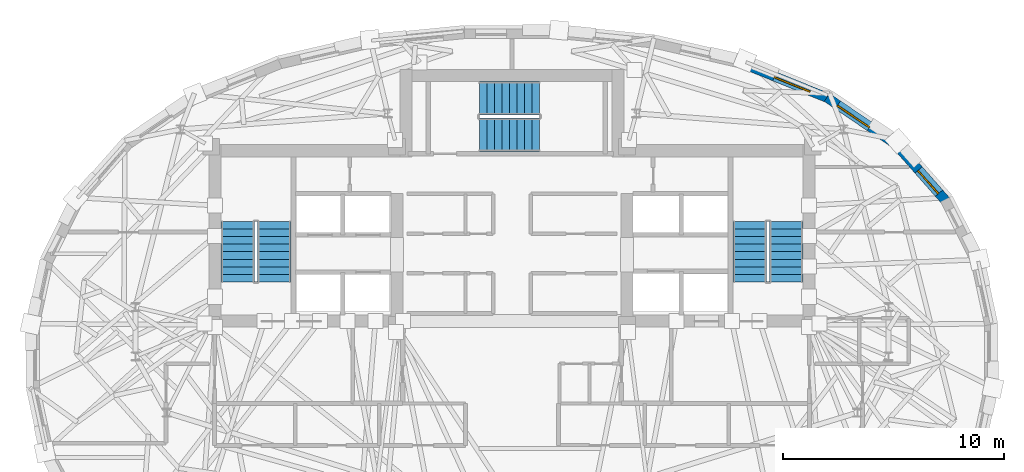
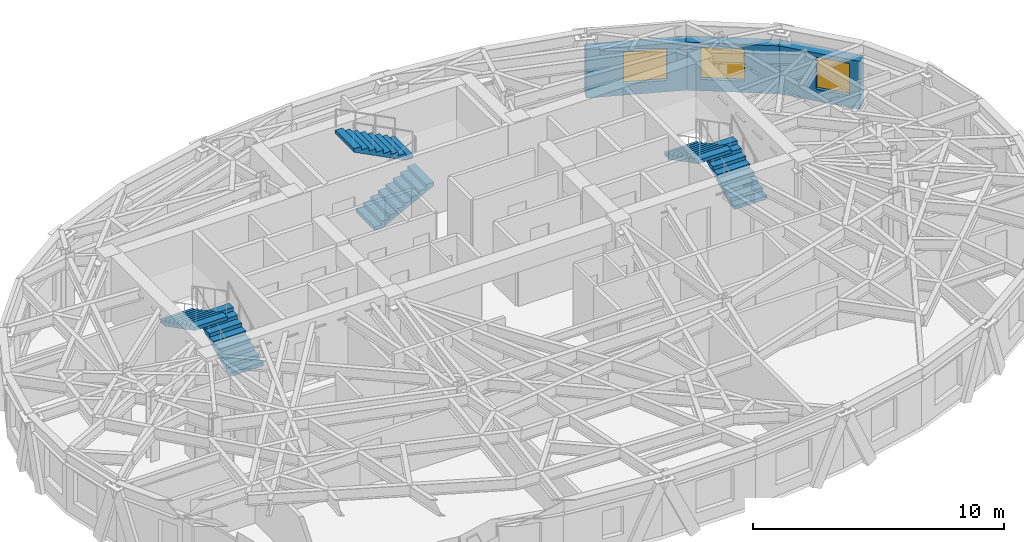
# One storey, part 10 of 13: 6 stair flights, 3 walls, 3 windows, 3 openings, 3 elements without a shape of their own.
"""IFC4 building model written with IfcOpenShell, lengths in metres."""

from ifc_helpers import new_model, si_unit, direction, frame, frame_2d, origin, place, context, subcontext, project, spatial, polyline, rectangle, outline, extrude, material, layer, layer_set, type_object, element, fill, aggregate, save


model = new_model("IFC4")

# Units and contexts
model_context = context("Model", 3, precision=1e-05, world=origin(), true_north=direction((0.0, 1.0)))
body_context = subcontext(model_context, "Body", "Model", "MODEL_VIEW")
ifc_project = project(units=[si_unit("LENGTHUNIT", "METRE"), si_unit("AREAUNIT", "SQUARE_METRE"), si_unit("VOLUMEUNIT", "CUBIC_METRE"), si_unit("PLANEANGLEUNIT", "RADIAN"), si_unit("MASSUNIT", "GRAM", prefix="KILO")], contexts=[model_context])

# Site, building, storey
site_placement = place(None, origin())
site = spatial("IfcSite", under=ifc_project, at=site_placement, CompositionType="ELEMENT")
building_placement = place(site_placement, origin())
building = spatial("IfcBuilding", under=site, at=building_placement, Name="Keldmark Tower", CompositionType="ELEMENT")
storey_placement = place(building_placement, frame((0.0, 0.0, 241.5)))
storey = spatial("IfcBuildingStorey", under=building, at=storey_placement, Name="L68", CompositionType="ELEMENT", Elevation=241.5)

# Wall, opening, window
ifc_material_1 = material(Name="Ironspot Manganese Brick and Kasota Buff Limestone Spandrel Assembly", Category="masonry")
ifc_layer = layer(ifc_material_1, 0.43994140625)
ifc_layer_set = layer_set([ifc_layer], Name="Ironspot Manganese Brick and Kasota Buff Limestone Spandrel Assembly")
wall_type = type_object("IfcWallType", Name="Tower Brick Pier and Spandrel Wall 440 mm", PredefinedType="STANDARD", material=ifc_layer_set)
wall_1_placement = place(storey_placement, frame((17.33984375, 9.595947265625, 0.0), z_axis=(0.0, 0.0, 1.0), x_axis=(0.66136043846, -0.750068243855, 0.0)))
wall_1 = element("IfcWall", 1, at=wall_1_placement, inside=storey, type_object=wall_type, Name="L68 Exterior Brick and Spandrel Wall 03", PredefinedType="STANDARD", context=body_context, shape_type="SweptSolid", body=[
    extrude(rectangle(XDim=3.431884765625, YDim=0.43994140625, at=frame_2d((1.7158203125, 0.0))), origin(), (0.0, 0.0, 1.0), 2.3359375),
])
opening_1_placement = place(wall_1_placement, frame((1.584716796875, 0.0, 0.580078125)))
opening_1 = element("IfcOpeningElement", 2, at=opening_1_placement, cuts=wall_1, Name="Opening W-08", PredefinedType="OPENING", context=body_context, shape_type="SweptSolid", body=[
    extrude(rectangle(XDim=1.39990234375, YDim=1.550048828125, at=frame_2d((0.699951171875, 0.77490234375))), frame((0.0, 0.22998046875, 0.0), z_axis=(0.0, -1.0, 0.0), x_axis=(1.0, 0.0, 0.0)), (0.0, 0.0, 1.0), 0.4599609375),
])
ifc_material_2 = material(Name="Thermally Broken Anodized Aluminum and Triple Low-E Argon Glazing", Category="aluminium")
window_type_1 = type_object("IfcWindowType", Name="Residential Corner Punched Window 1400x1550", PartitioningType="SINGLE_PANEL", PredefinedType="WINDOW", material=ifc_material_2)
window_1_placement = place(opening_1_placement, origin())
window_1 = element("IfcWindow", 3, at=window_1_placement, inside=storey, type_object=window_type_1, Name="L68 Deep-Set Window 03", OverallHeight=1.550048828125, OverallWidth=1.39990234375, PartitioningType="SINGLE_PANEL", PredefinedType="WINDOW", context=body_context, shape_type="SweptSolid", body=[
    extrude(rectangle(XDim=1.39990234375, YDim=1.550048828125, at=frame_2d((0.699951171875, 0.77490234375))), frame((0.0, -0.010009765625, 0.0), z_axis=(0.0, -1.0, 0.0), x_axis=(1.0, 0.0, 0.0)), (0.0, 0.0, 1.0), 0.06005859375),
])
fill(opening_1, window_1)

wall_2_placement = place(storey_placement, frame((14.242431640625, 11.68798828125, 0.0), z_axis=(0.0, 0.0, 1.0), x_axis=(0.827637036896, -0.561263694851, 0.0)))
wall_2 = element("IfcWall", 4, at=wall_2_placement, inside=storey, type_object=wall_type, Name="L68 Exterior Brick and Spandrel Wall 04", PredefinedType="STANDARD", context=body_context, shape_type="SweptSolid", body=[
    extrude(rectangle(XDim=3.792724609375, YDim=0.43994140625, at=frame_2d((1.896484375, 0.0))), origin(), (0.0, 0.0, 1.0), 2.3359375),
])
opening_2_placement = place(wall_2_placement, frame((0.59814453125, 0.0, 0.550048828125)))
opening_2 = element("IfcOpeningElement", 5, at=opening_2_placement, cuts=wall_2, Name="Opening W-05", PredefinedType="OPENING", context=body_context, shape_type="SweptSolid", body=[
    extrude(rectangle(XDim=1.75, YDim=1.550048828125, at=frame_2d((0.875, 0.77490234375))), frame((0.0, 0.22998046875, 0.0), z_axis=(0.0, -1.0, 0.0), x_axis=(1.0, 0.0, 0.0)), (0.0, 0.0, 1.0), 0.4599609375),
])
ifc_material_3 = material(Name="Thermally Broken Anodized Aluminum and Triple Low-E Argon Glazing", Category="aluminium")
window_type_2 = type_object("IfcWindowType", Name="Residential Deep-Set Window 1750x1550", PartitioningType="DOUBLE_PANEL_VERTICAL", PredefinedType="WINDOW", material=ifc_material_3)
window_2_placement = place(opening_2_placement, origin())
window_2 = element("IfcWindow", 6, at=window_2_placement, inside=storey, type_object=window_type_2, Name="L68 Deep-Set Window 04", OverallHeight=1.550048828125, OverallWidth=1.75, PartitioningType="SINGLE_PANEL", PredefinedType="WINDOW", context=body_context, shape_type="SweptSolid", body=[
    extrude(rectangle(XDim=1.75, YDim=1.550048828125, at=frame_2d((0.875, 0.77490234375))), frame((0.0, -0.010009765625, 0.0), z_axis=(0.0, -1.0, 0.0), x_axis=(1.0, 0.0, 0.0)), (0.0, 0.0, 1.0), 0.06005859375),
])
fill(opening_2, window_2)

wall_3_placement = place(storey_placement, frame((10.487060546875, 13.205078125, 0.0), z_axis=(0.0, 0.0, 1.0), x_axis=(0.926731976866, -0.375723093586, 0.0)))
wall_3 = element("IfcWall", 7, at=wall_3_placement, inside=storey, type_object=wall_type, Name="L68 Exterior Brick and Spandrel Wall 05", PredefinedType="STANDARD", context=body_context, shape_type="SweptSolid", body=[
    extrude(rectangle(XDim=4.09619140625, YDim=0.43994140625, at=frame_2d((2.048095703125, 0.0))), origin(), (0.0, 0.0, 1.0), 2.3359375),
])
opening_3_placement = place(wall_3_placement, frame((1.49755859375, 0.0, 0.550048828125)))
opening_3 = element("IfcOpeningElement", 8, at=opening_3_placement, cuts=wall_3, Name="Opening W-05", PredefinedType="OPENING", context=body_context, shape_type="SweptSolid", body=[
    extrude(rectangle(XDim=1.75, YDim=1.550048828125, at=frame_2d((0.875, 0.77490234375))), frame((0.0, 0.22998046875, 0.0), z_axis=(0.0, -1.0, 0.0), x_axis=(1.0, 0.0, 0.0)), (0.0, 0.0, 1.0), 0.4599609375),
])
window_3_placement = place(opening_3_placement, origin())
window_3 = element("IfcWindow", 9, at=window_3_placement, inside=storey, type_object=window_type_2, Name="L68 Deep-Set Window 05", OverallHeight=1.550048828125, OverallWidth=1.75, PartitioningType="SINGLE_PANEL", PredefinedType="WINDOW", context=body_context, shape_type="SweptSolid", body=[
    extrude(rectangle(XDim=1.75, YDim=1.550048828125, at=frame_2d((0.875, 0.77490234375))), frame((0.0, -0.010009765625, 0.0), z_axis=(0.0, -1.0, 0.0), x_axis=(1.0, 0.0, 0.0)), (0.0, 0.0, 1.0), 0.06005859375),
])
fill(opening_3, window_3)

# Stair, stair flights
ifc_material_4 = material(Name="Concrete C40/50", Category="concrete")
stair_type = type_object("IfcStairType", Name="Precast Concrete Core Exit Stair", PredefinedType="HALF_TURN_STAIR", material=ifc_material_4)
stair_1_placement = place(storey_placement, origin())
stair_1 = element("IfcStair", 10, at=stair_1_placement, inside=storey, type_object=stair_type, Name="L68 Exit Stair ST1", PredefinedType="HALF_TURN_STAIR")
ifc_material_5 = material(Name="Concrete C40/50", Category="concrete")
stair_flight_type = type_object("IfcStairFlightType", Name="Precast Concrete Stair Flight 1500 mm", PredefinedType="STRAIGHT", material=ifc_material_5)
stair_flight_1_placement = place(storey_placement, frame((-10.75, 3.35009765625, 0.0), z_axis=(0.0, 0.0, 1.0), x_axis=(0.0, 1.0, 0.0)))
stair_flight_1 = element("IfcStairFlight", 11, at=stair_flight_1_placement, type_object=stair_flight_type, Name="ST1 flight 1", NumberOfRisers=9, NumberOfTreads=8, PredefinedType="STRAIGHT", RiserHeight=0.175, TreadLength=0.34, context=body_context, shape_type="SweptSolid", body=[
    extrude(outline(polyline([(0.0, 0.0), (0.0, 0.175048828125), (0.340087890625, 0.175048828125), (0.340087890625, 0.35009765625), (0.679931640625, 0.35009765625), (0.679931640625, 0.52490234375), (1.02001953125, 0.52490234375), (1.02001953125, 0.699951171875), (1.360107421875, 0.699951171875), (1.360107421875, 0.875), (1.699951171875, 0.875), (1.699951171875, 1.050048828125), (2.0400390625, 1.050048828125), (2.0400390625, 1.22509765625), (2.3798828125, 1.22509765625), (2.3798828125, 1.39990234375), (2.719970703125, 1.39990234375), (2.719970703125, 1.574951171875), (2.719970703125, 1.2314453125), (0.32763671875, 0.0), (0.0, 0.0)])), frame((0.0, 0.75, 0.0), z_axis=(0.0, -1.0, 0.0), x_axis=(1.0, 0.0, 0.0)), (0.0, 0.0, 1.0), 1.5),
])
stair_flight_2_placement = place(storey_placement, frame((-12.39990234375, 6.070068359375, 1.574951171875), z_axis=(0.0, 0.0, 1.0), x_axis=(0.0, -1.0, 0.0)))
stair_flight_2 = element("IfcStairFlight", 12, at=stair_flight_2_placement, type_object=stair_flight_type, Name="ST1 flight 2", NumberOfRisers=9, NumberOfTreads=8, PredefinedType="STRAIGHT", RiserHeight=0.175, TreadLength=0.34, context=body_context, shape_type="SweptSolid", body=[
    extrude(outline(polyline([(0.0, 0.0), (0.0, 0.175048828125), (0.340087890625, 0.175048828125), (0.340087890625, 0.35009765625), (0.679931640625, 0.35009765625), (0.679931640625, 0.52490234375), (1.02001953125, 0.52490234375), (1.02001953125, 0.699951171875), (1.360107421875, 0.699951171875), (1.360107421875, 0.875), (1.699951171875, 0.875), (1.699951171875, 1.050048828125), (2.0400390625, 1.050048828125), (2.0400390625, 1.22509765625), (2.3798828125, 1.22509765625), (2.3798828125, 1.39990234375), (2.719970703125, 1.39990234375), (2.719970703125, 1.574951171875), (2.719970703125, 1.2314453125), (0.32763671875, 0.0), (0.0, 0.0)])), frame((0.0, 0.75, 0.0), z_axis=(0.0, -1.0, 0.0), x_axis=(1.0, 0.0, 0.0)), (0.0, 0.0, 1.0), 1.5),
])
aggregate(stair_1, [stair_flight_1, stair_flight_2])

stair_2_placement = place(storey_placement, origin())
stair_2 = element("IfcStair", 13, at=stair_2_placement, inside=storey, type_object=stair_type, Name="L68 Exit Stair ST2", PredefinedType="HALF_TURN_STAIR")
stair_flight_3_placement = place(storey_placement, frame((12.39990234375, 3.35009765625, 0.0), z_axis=(0.0, 0.0, 1.0), x_axis=(0.0, 1.0, 0.0)))
stair_flight_3 = element("IfcStairFlight", 14, at=stair_flight_3_placement, type_object=stair_flight_type, Name="ST2 flight 1", NumberOfRisers=9, NumberOfTreads=8, PredefinedType="STRAIGHT", RiserHeight=0.175, TreadLength=0.34, context=body_context, shape_type="SweptSolid", body=[
    extrude(outline(polyline([(0.0, 0.0), (0.0, 0.175048828125), (0.340087890625, 0.175048828125), (0.340087890625, 0.35009765625), (0.679931640625, 0.35009765625), (0.679931640625, 0.52490234375), (1.02001953125, 0.52490234375), (1.02001953125, 0.699951171875), (1.360107421875, 0.699951171875), (1.360107421875, 0.875), (1.699951171875, 0.875), (1.699951171875, 1.050048828125), (2.0400390625, 1.050048828125), (2.0400390625, 1.22509765625), (2.3798828125, 1.22509765625), (2.3798828125, 1.39990234375), (2.719970703125, 1.39990234375), (2.719970703125, 1.574951171875), (2.719970703125, 1.2314453125), (0.32763671875, 0.0), (0.0, 0.0)])), frame((0.0, 0.75, 0.0), z_axis=(0.0, -1.0, 0.0), x_axis=(1.0, 0.0, 0.0)), (0.0, 0.0, 1.0), 1.5),
])
stair_flight_4_placement = place(storey_placement, frame((10.75, 6.070068359375, 1.574951171875), z_axis=(0.0, 0.0, 1.0), x_axis=(0.0, -1.0, 0.0)))
stair_flight_4 = element("IfcStairFlight", 15, at=stair_flight_4_placement, type_object=stair_flight_type, Name="ST2 flight 2", NumberOfRisers=9, NumberOfTreads=8, PredefinedType="STRAIGHT", RiserHeight=0.175, TreadLength=0.34, context=body_context, shape_type="SweptSolid", body=[
    extrude(outline(polyline([(0.0, 0.0), (0.0, 0.175048828125), (0.340087890625, 0.175048828125), (0.340087890625, 0.35009765625), (0.679931640625, 0.35009765625), (0.679931640625, 0.52490234375), (1.02001953125, 0.52490234375), (1.02001953125, 0.699951171875), (1.360107421875, 0.699951171875), (1.360107421875, 0.875), (1.699951171875, 0.875), (1.699951171875, 1.050048828125), (2.0400390625, 1.050048828125), (2.0400390625, 1.22509765625), (2.3798828125, 1.22509765625), (2.3798828125, 1.39990234375), (2.719970703125, 1.39990234375), (2.719970703125, 1.574951171875), (2.719970703125, 1.2314453125), (0.32763671875, 0.0), (0.0, 0.0)])), frame((0.0, 0.75, 0.0), z_axis=(0.0, -1.0, 0.0), x_axis=(1.0, 0.0, 0.0)), (0.0, 0.0, 1.0), 1.5),
])
aggregate(stair_2, [stair_flight_3, stair_flight_4])

stair_3_placement = place(storey_placement, origin())
stair_3 = element("IfcStair", 16, at=stair_3_placement, inside=storey, type_object=stair_type, Name="L68 Exit Stair ST3", PredefinedType="HALF_TURN_STAIR")
stair_flight_5_placement = place(storey_placement, frame((-1.47509765625, 10.0, 0.0), z_axis=(0.0, 0.0, 1.0), x_axis=(1.0, 0.0, 0.0)))
stair_flight_5 = element("IfcStairFlight", 17, at=stair_flight_5_placement, type_object=stair_flight_type, Name="ST3 flight 1", NumberOfRisers=9, NumberOfTreads=8, PredefinedType="STRAIGHT", RiserHeight=0.175, TreadLength=0.34, context=body_context, shape_type="SweptSolid", body=[
    extrude(outline(polyline([(0.0, 0.0), (0.0, 0.175048828125), (0.340087890625, 0.175048828125), (0.340087890625, 0.35009765625), (0.679931640625, 0.35009765625), (0.679931640625, 0.52490234375), (1.02001953125, 0.52490234375), (1.02001953125, 0.699951171875), (1.360107421875, 0.699951171875), (1.360107421875, 0.875), (1.699951171875, 0.875), (1.699951171875, 1.050048828125), (2.0400390625, 1.050048828125), (2.0400390625, 1.22509765625), (2.3798828125, 1.22509765625), (2.3798828125, 1.39990234375), (2.719970703125, 1.39990234375), (2.719970703125, 1.574951171875), (2.719970703125, 1.2314453125), (0.32763671875, 0.0), (0.0, 0.0)])), frame((0.0, 0.75, 0.0), z_axis=(0.0, -1.0, 0.0), x_axis=(1.0, 0.0, 0.0)), (0.0, 0.0, 1.0), 1.5),
])
stair_flight_6_placement = place(storey_placement, frame((1.2451171875, 11.64990234375, 1.574951171875), z_axis=(0.0, 0.0, 1.0), x_axis=(-1.0, 0.0, 0.0)))
stair_flight_6 = element("IfcStairFlight", 18, at=stair_flight_6_placement, type_object=stair_flight_type, Name="ST3 flight 2", NumberOfRisers=9, NumberOfTreads=8, PredefinedType="STRAIGHT", RiserHeight=0.175, TreadLength=0.34, context=body_context, shape_type="SweptSolid", body=[
    extrude(outline(polyline([(0.0, 0.0), (0.0, 0.175048828125), (0.340087890625, 0.175048828125), (0.340087890625, 0.35009765625), (0.679931640625, 0.35009765625), (0.679931640625, 0.52490234375), (1.02001953125, 0.52490234375), (1.02001953125, 0.699951171875), (1.360107421875, 0.699951171875), (1.360107421875, 0.875), (1.699951171875, 0.875), (1.699951171875, 1.050048828125), (2.0400390625, 1.050048828125), (2.0400390625, 1.22509765625), (2.3798828125, 1.22509765625), (2.3798828125, 1.39990234375), (2.719970703125, 1.39990234375), (2.719970703125, 1.574951171875), (2.719970703125, 1.2314453125), (0.32763671875, 0.0), (0.0, 0.0)])), frame((0.0, 0.75, 0.0), z_axis=(0.0, -1.0, 0.0), x_axis=(1.0, 0.0, 0.0)), (0.0, 0.0, 1.0), 1.5),
])
aggregate(stair_3, [stair_flight_5, stair_flight_6])

save(model, "model.ifc")
